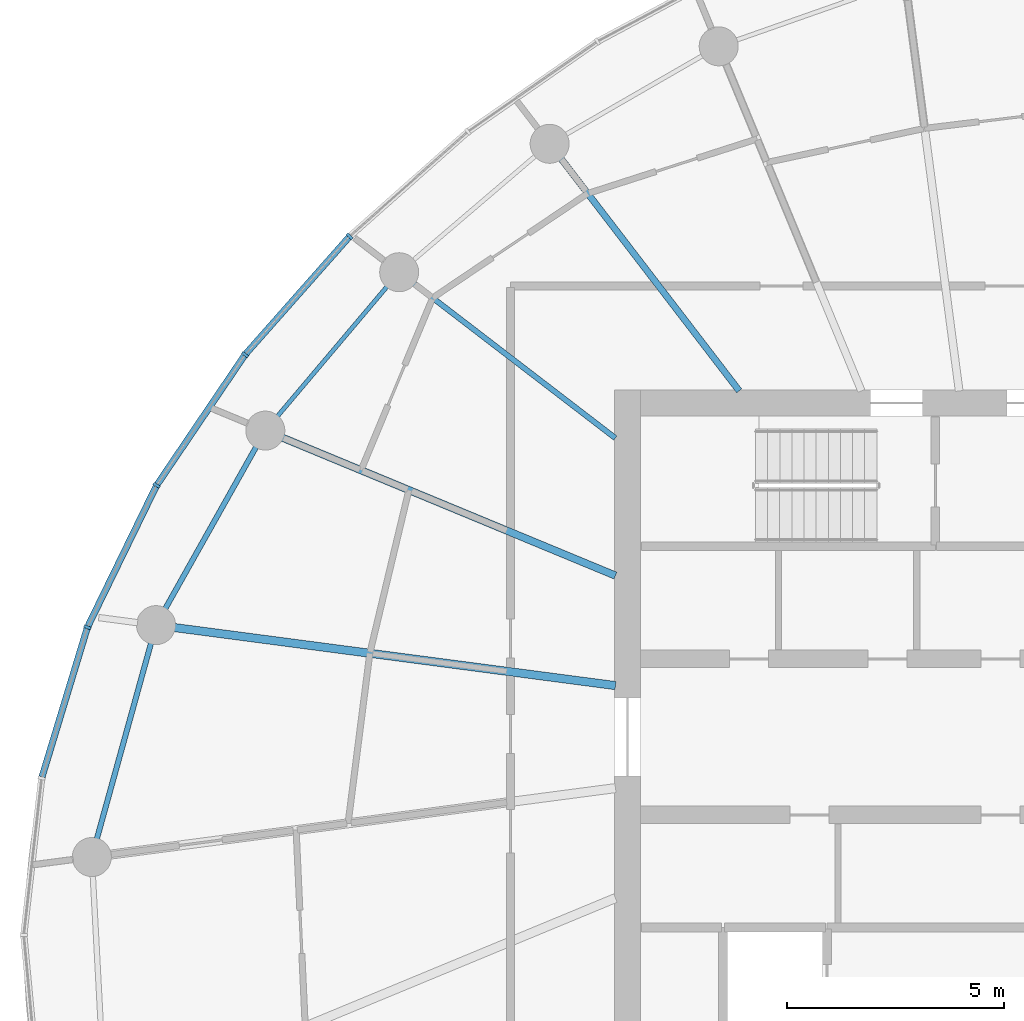
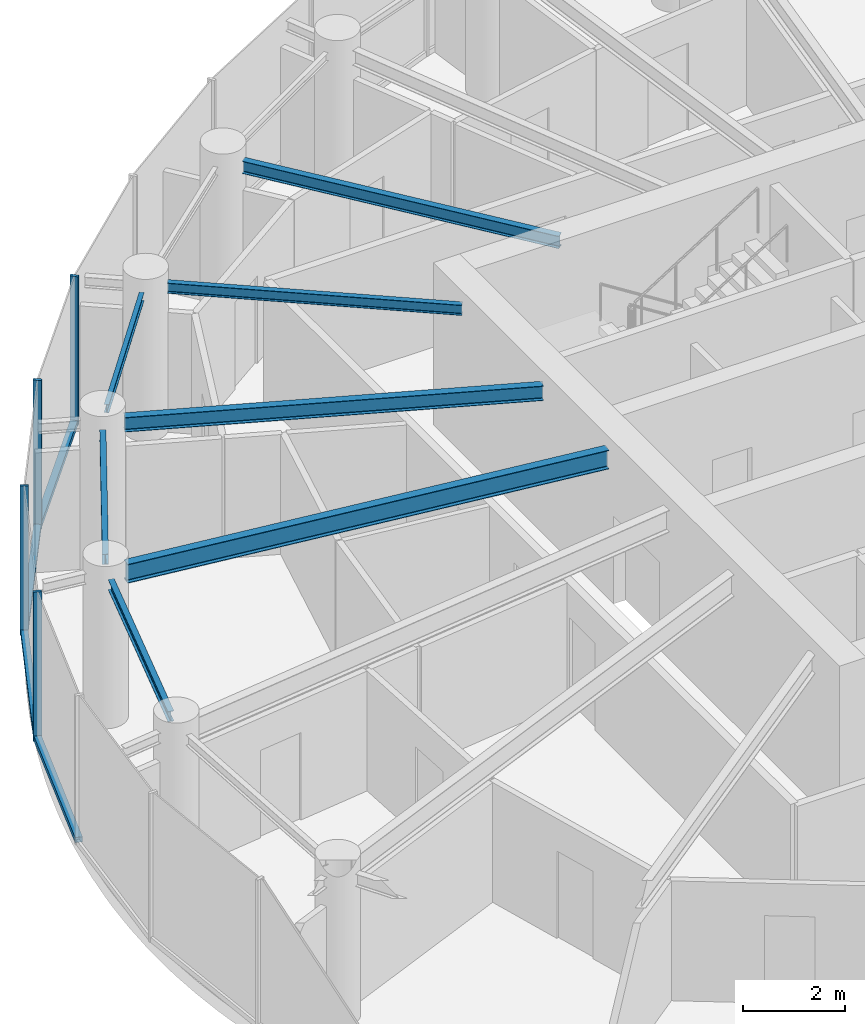
# One storey, part 4 of 15: 8 members, 7 beams, 2 elements without a shape of their own.
"""IFC4 building model written with IfcOpenShell, lengths in metres."""

from ifc_helpers import new_model, si_unit, direction, frame, origin, origin_2d, place, context, subcontext, project, spatial, rectangle, i_section, extrude, source, transform, mapped, material, layer, layer_set, material_profile, profile_set, type_object, element, aggregate, save


model = new_model("IFC4")

# Units and contexts
model_context = context("Model", 3, precision=1e-05, world=origin(), true_north=direction((0.0, 1.0)))
body_context = subcontext(model_context, "Body", "Model", "MODEL_VIEW")
ifc_project = project(units=[si_unit("LENGTHUNIT", "METRE"), si_unit("AREAUNIT", "SQUARE_METRE"), si_unit("VOLUMEUNIT", "CUBIC_METRE"), si_unit("PLANEANGLEUNIT", "RADIAN"), si_unit("MASSUNIT", "GRAM", prefix="KILO")], contexts=[model_context])

# Site, building, storey
site_placement = place(None, origin())
site = spatial("IfcSite", under=ifc_project, at=site_placement, CompositionType="ELEMENT")
building_placement = place(site_placement, origin())
building = spatial("IfcBuilding", under=site, at=building_placement, Name="Spindrift Exchange Tower", CompositionType="ELEMENT")
storey_placement = place(building_placement, frame((0.0, 0.0, 191.60009765625)))
storey = spatial("IfcBuildingStorey", under=building, at=storey_placement, Name="L46", CompositionType="ELEMENT", Elevation=191.60009765625)

# Beams
ifc_material_1 = material(Name="Steel Grade 300", Category="steel")
ifc_material_profile_1 = material_profile(ifc_material_1, i_section(OverallWidth=0.14892578125, OverallDepth=0.298095703125, WebThickness=0.005615234375, FlangeThickness=0.008056640625, FilletRadius=0.012939453125, at=origin_2d()), Name="310UB32.0")
ifc_profile_set_1 = profile_set([ifc_material_profile_1], Name="Steel Grade 300")
beam_type_1 = type_object("IfcBeamType", Name="Floor Beam 310UB32.0 Steel Grade 300", PredefinedType="BEAM", material=ifc_profile_set_1)
shared_shape_1 = source(origin(), body_context, "Body", "SweptSolid", [
    extrude(i_section(OverallWidth=0.14892578125, OverallDepth=0.298095703125, WebThickness=0.005615234375, FlangeThickness=0.008056640625, FilletRadius=0.012939453125, at=origin_2d()), origin(), (0.0, 0.0, 1.0), 6.753173828125),
])
beam_1_placement = place(storey_placement, frame((45.87353515625, 55.984130859375, 3.430908203125), z_axis=(-0.608761639459, 0.793353178807, 0.0), x_axis=(-0.793353178807, -0.608761639459, 0.0)))
element("IfcBeam", 1, at=beam_1_placement, inside=storey, type_object=beam_type_1, Name="L46 radial beam R09A", PredefinedType="BEAM", context=body_context, shape_type="MappedRepresentation", body=[
    mapped(shared_shape_1, transform((0.0, 0.0, 0.0), scale=1.0)),
])
ifc_material_profile_2 = material_profile(ifc_material_1, i_section(OverallWidth=0.1240234375, OverallDepth=0.248046875, WebThickness=0.0048828125, FlangeThickness=0.008056640625, FilletRadius=0.011962890625, at=origin_2d()), Name="250UB25.7")
ifc_profile_set_2 = profile_set([ifc_material_profile_2], Name="Steel Grade 300")
beam_type_2 = type_object("IfcBeamType", Name="Floor Beam 250UB25.7 Steel Grade 300", PredefinedType="BEAM", material=ifc_profile_set_2)
shared_shape_2 = source(origin(), body_context, "Body", "SweptSolid", [
    extrude(i_section(OverallWidth=0.1240234375, OverallDepth=0.248046875, WebThickness=0.0048828125, FlangeThickness=0.008056640625, FilletRadius=0.011962890625, at=origin_2d()), origin(), (0.0, 0.0, 1.0), 5.855712890625),
])
beam_2_placement = place(storey_placement, frame((43.015869140625, 54.893798828125, 3.455810546875), z_axis=(-0.793362708479, 0.608749219954, 0.0), x_axis=(-0.608749219954, -0.793362708479, 0.0)))
element("IfcBeam", 2, at=beam_2_placement, inside=storey, type_object=beam_type_2, Name="L46 radial beam R10A", PredefinedType="BEAM", context=body_context, shape_type="MappedRepresentation", body=[
    mapped(shared_shape_2, transform((0.0, 0.0, 0.0), scale=1.0)),
])
ifc_material_profile_3 = material_profile(ifc_material_1, i_section(OverallWidth=0.1708984375, OverallDepth=0.35205078125, WebThickness=0.0068359375, FlangeThickness=0.009765625, FilletRadius=0.013916015625, at=origin_2d()), Name="360UB44.7")
ifc_profile_set_3 = profile_set([ifc_material_profile_3], Name="Steel Grade 300")
beam_type_3 = type_object("IfcBeamType", Name="Floor Beam 360UB44.7 Steel Grade 300", PredefinedType="BEAM", material=ifc_profile_set_3)
shared_shape_3 = source(origin(), body_context, "Body", "SweptSolid", [
    extrude(i_section(OverallWidth=0.1708984375, OverallDepth=0.35205078125, WebThickness=0.0068359375, FlangeThickness=0.009765625, FilletRadius=0.013916015625, at=origin_2d()), origin(), (0.0, 0.0, 1.0), 8.3134765625),
])
beam_3_placement = place(storey_placement, frame((43.0185546875, 51.72021484375, 3.40380859375), z_axis=(-0.923881179957, 0.382679455055, 0.0), x_axis=(-0.382679455055, -0.923881179957, 0.0)))
element("IfcBeam", 3, at=beam_3_placement, inside=storey, type_object=beam_type_3, Name="L46 radial beam R11A", PredefinedType="BEAM", context=body_context, shape_type="MappedRepresentation", body=[
    mapped(shared_shape_3, transform((0.0, 0.0, 0.0), scale=1.0)),
])
ifc_material_profile_4 = material_profile(ifc_material_1, i_section(OverallWidth=0.18994140625, OverallDepth=0.4541015625, WebThickness=0.008544921875, FlangeThickness=0.0126953125, FilletRadius=0.013916015625, at=origin_2d()), Name="460UB67.1")
ifc_profile_set_4 = profile_set([ifc_material_profile_4], Name="Steel Grade 300")
beam_type_4 = type_object("IfcBeamType", Name="Floor Beam 460UB67.1 Steel Grade 300", PredefinedType="BEAM", material=ifc_profile_set_4)
shared_shape_4 = source(origin(), body_context, "Body", "SweptSolid", [
    extrude(i_section(OverallWidth=0.18994140625, OverallDepth=0.4541015625, WebThickness=0.008544921875, FlangeThickness=0.0126953125, FilletRadius=0.013916015625, at=origin_2d()), origin(), (0.0, 0.0, 1.0), 10.262451171875),
])
beam_4_placement = place(storey_placement, frame((43.019775390625, 49.182373046875, 3.352783203125), z_axis=(-0.991446763371, 0.130511744304, 0.0), x_axis=(-0.130511744304, -0.991446763371, 0.0)))
element("IfcBeam", 4, at=beam_4_placement, inside=storey, type_object=beam_type_4, Name="L46 radial beam R12A", PredefinedType="BEAM", context=body_context, shape_type="MappedRepresentation", body=[
    mapped(shared_shape_4, transform((0.0, 0.0, 0.0), scale=1.0)),
])
ifc_material_profile_5 = material_profile(ifc_material_1, i_section(OverallWidth=0.09912109375, OverallDepth=0.197998046875, WebThickness=0.00439453125, FlangeThickness=0.007080078125, FilletRadius=0.010986328125, at=origin_2d()), Name="200UB18.2")
ifc_profile_set_5 = profile_set([ifc_material_profile_5], Name="Steel Grade 300")
beam_type_5 = type_object("IfcBeamType", Name="Edge Beam 200UB18.2 Steel Grade 300", PredefinedType="SPANDREL", material=ifc_profile_set_5)
shared_shape_5 = source(origin(), body_context, "Body", "SweptSolid", [
    extrude(i_section(OverallWidth=0.09912109375, OverallDepth=0.197998046875, WebThickness=0.00439453125, FlangeThickness=0.007080078125, FilletRadius=0.010986328125, at=origin_2d()), origin(), (0.0, 0.0, 1.0), 3.92431640625),
])
beam_5_placement = place(storey_placement, frame((37.75146484375, 58.391845703125, 3.48095703125), z_axis=(-0.645498720032, -0.763761351757, 0.0), x_axis=(0.763761351757, -0.645498720032, 0.0)))
element("IfcBeam", 5, at=beam_5_placement, inside=storey, type_object=beam_type_5, Name="L46 edge beam E10", PredefinedType="SPANDREL", context=body_context, shape_type="MappedRepresentation", body=[
    mapped(shared_shape_5, transform((0.0, 0.0, 0.0), scale=1.0)),
])
ifc_material_profile_6 = material_profile(ifc_material_1, i_section(OverallWidth=0.1240234375, OverallDepth=0.248046875, WebThickness=0.0048828125, FlangeThickness=0.008056640625, FilletRadius=0.011962890625, at=origin_2d()), Name="250UB25.7")
ifc_profile_set_6 = profile_set([ifc_material_profile_6], Name="Steel Grade 300")
beam_type_6 = type_object("IfcBeamType", Name="Edge Beam 250UB25.7 Steel Grade 300", PredefinedType="SPANDREL", material=ifc_profile_set_6)
shared_shape_6 = source(origin(), body_context, "Body", "SweptSolid", [
    extrude(i_section(OverallWidth=0.1240234375, OverallDepth=0.248046875, WebThickness=0.0048828125, FlangeThickness=0.008056640625, FilletRadius=0.011962890625, at=origin_2d()), origin(), (0.0, 0.0, 1.0), 4.2880859375),
])
beam_6_placement = place(storey_placement, frame((34.72998046875, 54.69140625, 3.455810546875), z_axis=(-0.489804347673, -0.871832381253, 0.0), x_axis=(0.871832381253, -0.489804347673, 0.0)))
element("IfcBeam", 6, at=beam_6_placement, inside=storey, type_object=beam_type_6, Name="L46 edge beam E11", PredefinedType="SPANDREL", context=body_context, shape_type="MappedRepresentation", body=[
    mapped(shared_shape_6, transform((0.0, 0.0, 0.0), scale=1.0)),
])
shared_shape_7 = source(origin(), body_context, "Body", "SweptSolid", [
    extrude(i_section(OverallWidth=0.1240234375, OverallDepth=0.248046875, WebThickness=0.0048828125, FlangeThickness=0.008056640625, FilletRadius=0.011962890625, at=origin_2d()), origin(), (0.0, 0.0, 1.0), 4.69189453125),
])
beam_7_placement = place(storey_placement, frame((32.30419921875, 50.16357421875, 3.455810546875), z_axis=(-0.266774248618, -0.963759046792, 0.0), x_axis=(0.963759046792, -0.266774248618, 0.0)))
element("IfcBeam", 7, at=beam_7_placement, inside=storey, type_object=beam_type_6, Name="L46 edge beam E12", PredefinedType="SPANDREL", context=body_context, shape_type="MappedRepresentation", body=[
    mapped(shared_shape_7, transform((0.0, 0.0, 0.0), scale=1.0)),
])

# Curtain wall, member
ifc_material_2 = material(Name="Fritted laminated glass with bronze frame", Category="glass")
ifc_layer = layer(ifc_material_2, 0.169921875)
ifc_layer_set = layer_set([ifc_layer], Name="ZONE 4 BRONZE FRITTED WALL")
curtain_wall_type = type_object("IfcCurtainWallType", Name="ZONE 4 BRONZE FRITTED WALL", PredefinedType="NOTDEFINED", material=ifc_layer_set)
curtain_wall_1_placement = place(storey_placement, origin())
curtain_wall_1 = element("IfcCurtainWall", 8, at=curtain_wall_1_placement, inside=storey, type_object=curtain_wall_type, Name="L46 Zone 4 Bronze Fritted Wall run 2", PredefinedType="NOTDEFINED")
ifc_material_3 = material(Name="Bronze anodised aluminium", Category="aluminium")
ifc_material_profile_7 = material_profile(ifc_material_3, rectangle(XDim=0.06494140625, YDim=0.169921875, at=origin_2d()), Name="ZONE 4 BRONZE FRITTED WALL MULLION 65X170")
ifc_profile_set_7 = profile_set([ifc_material_profile_7], Name="Bronze anodised aluminium")
member_type_1 = type_object("IfcMemberType", Name="ZONE 4 BRONZE FRITTED WALL MULLION 65X170", PredefinedType="MULLION", material=ifc_profile_set_7)
shared_shape_8 = source(origin(), body_context, "Body", "SweptSolid", [
    extrude(rectangle(XDim=0.06494140625, YDim=0.169921875, at=origin_2d()), origin(), (0.0, 0.0, 1.0), 3.579833984375),
])
member_1_placement = place(storey_placement, frame((36.8857421875, 59.547607421875, 0.0), z_axis=(0.0, 0.0, 1.0), x_axis=(-0.706768108309, -0.707445291933, 0.0)))
member_1 = element("IfcMember", 9, at=member_1_placement, type_object=member_type_1, Name="L46 mullion CW-4.12", PredefinedType="MULLION", context=body_context, shape_type="MappedRepresentation", body=[
    mapped(shared_shape_8, transform((0.0, 0.0, 0.0), scale=1.0)),
])

# Curtain wall, members
curtain_wall_2_placement = place(storey_placement, origin())
curtain_wall_2 = element("IfcCurtainWall", 10, at=curtain_wall_2_placement, inside=storey, type_object=curtain_wall_type, Name="L46 Zone 4 Bronze Fritted Wall run 3", PredefinedType="NOTDEFINED")
member_2_placement = place(storey_placement, frame((34.472412109375, 56.819091796875, 0.0), z_axis=(0.0, 0.0, 1.0), x_axis=(-0.612756808949, -0.790271531239, 0.0)))
member_2 = element("IfcMember", 11, at=member_2_placement, type_object=member_type_1, Name="L46 mullion CW-4.13", PredefinedType="MULLION", context=body_context, shape_type="MappedRepresentation", body=[
    mapped(shared_shape_8, transform((0.0, 0.0, 0.0), scale=1.0)),
])
member_3_placement = place(storey_placement, frame((32.431396484375, 53.802734375, 0.0), z_axis=(0.0, 0.0, 1.0), x_axis=(-0.500486328699, -0.865744439651, 0.0)))
member_3 = element("IfcMember", 12, at=member_3_placement, type_object=member_type_1, Name="L46 mullion CW-4.14", PredefinedType="MULLION", context=body_context, shape_type="MappedRepresentation", body=[
    mapped(shared_shape_8, transform((0.0, 0.0, 0.0), scale=1.0)),
])
member_4_placement = place(storey_placement, frame((30.836181640625, 50.529296875, 0.0), z_axis=(0.0, 0.0, 1.0), x_axis=(-0.365459674861, -0.93082717303, 0.0)))
member_4 = element("IfcMember", 13, at=member_4_placement, type_object=member_type_1, Name="L46 mullion CW-4.15", PredefinedType="MULLION", context=body_context, shape_type="MappedRepresentation", body=[
    mapped(shared_shape_8, transform((0.0, 0.0, 0.0), scale=1.0)),
])
ifc_material_profile_8 = material_profile(ifc_material_3, rectangle(XDim=0.14990234375, YDim=0.125, at=origin_2d()), Name="ZONE 4 BRONZE FRITTED WALL TRANSOM 150X125")
ifc_profile_set_8 = profile_set([ifc_material_profile_8], Name="Bronze anodised aluminium")
member_type_2 = type_object("IfcMemberType", Name="ZONE 4 BRONZE FRITTED WALL TRANSOM 150X125", PredefinedType="USERDEFINED", material=ifc_profile_set_8)
shared_shape_9 = source(origin(), body_context, "Body", "SweptSolid", [
    extrude(rectangle(XDim=0.14990234375, YDim=0.125, at=origin_2d()), origin(), (0.0, 0.0, 1.0), 3.5771484375),
])
member_5_placement = place(storey_placement, frame((34.454345703125, 56.792236328125, 0.0625), z_axis=(-0.560404388076, -0.828219126696, 0.0), x_axis=(0.828219126696, -0.560404388076, 0.0)))
member_5 = element("IfcMember", 14, at=member_5_placement, type_object=member_type_2, Name="L46 transom CW-4.13", ObjectType="TRANSOM", PredefinedType="USERDEFINED", context=body_context, shape_type="MappedRepresentation", body=[
    mapped(shared_shape_9, transform((0.0, 0.0, 0.0), scale=1.0)),
])
shared_shape_10 = source(origin(), body_context, "Body", "SweptSolid", [
    extrude(rectangle(XDim=0.14990234375, YDim=0.125, at=origin_2d()), origin(), (0.0, 0.0, 1.0), 3.575439453125),
])
member_6_placement = place(storey_placement, frame((30.82666015625, 50.498046875, 0.0625), z_axis=(-0.290547474352, -0.956860577695, 0.0), x_axis=(0.956860577695, -0.290547474352, 0.0)))
member_6 = element("IfcMember", 15, at=member_6_placement, type_object=member_type_2, Name="L46 transom CW-4.15", ObjectType="TRANSOM", PredefinedType="USERDEFINED", context=body_context, shape_type="MappedRepresentation", body=[
    mapped(shared_shape_10, transform((0.0, 0.0, 0.0), scale=1.0)),
])
shared_shape_11 = source(origin(), body_context, "Body", "SweptSolid", [
    extrude(rectangle(XDim=0.14990234375, YDim=0.125, at=origin_2d()), origin(), (0.0, 0.0, 1.0), 3.57666015625),
])
member_7_placement = place(storey_placement, frame((32.417236328125, 53.7734375, 0.0625), z_axis=(-0.438098142361, -0.898927148138, 0.0), x_axis=(0.898927148138, -0.438098142361, 0.0)))
member_7 = element("IfcMember", 16, at=member_7_placement, type_object=member_type_2, Name="L46 transom CW-4.14", ObjectType="TRANSOM", PredefinedType="USERDEFINED", context=body_context, shape_type="MappedRepresentation", body=[
    mapped(shared_shape_11, transform((0.0, 0.0, 0.0), scale=1.0)),
])
aggregate(curtain_wall_2, [member_2, member_5, member_3, member_7, member_4, member_6])

# Member
shared_shape_12 = source(origin(), body_context, "Body", "SweptSolid", [
    extrude(rectangle(XDim=0.14990234375, YDim=0.125, at=origin_2d()), origin(), (0.0, 0.0, 1.0), 3.577392578125),
])
member_8_placement = place(storey_placement, frame((36.8642578125, 59.523193359375, 0.0625), z_axis=(-0.66251498057, -0.749048663653, 0.0), x_axis=(0.749048663653, -0.66251498057, 0.0)))
member_8 = element("IfcMember", 17, at=member_8_placement, type_object=member_type_2, Name="L46 transom CW-4.12", ObjectType="TRANSOM", PredefinedType="USERDEFINED", context=body_context, shape_type="MappedRepresentation", body=[
    mapped(shared_shape_12, transform((0.0, 0.0, 0.0), scale=1.0)),
])

aggregate(curtain_wall_1, [member_1, member_8])

save(model, "model.ifc")
